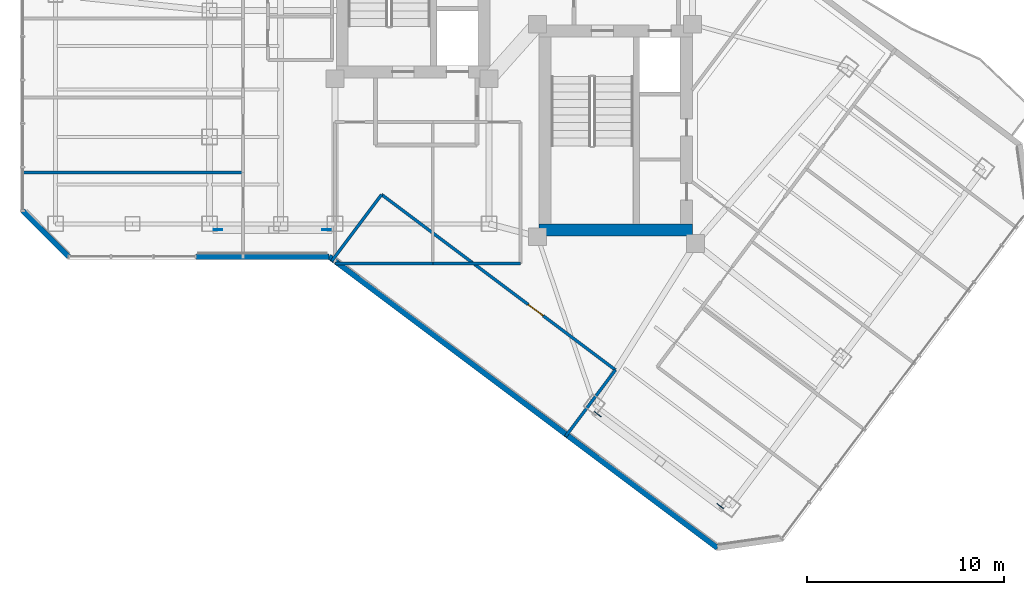
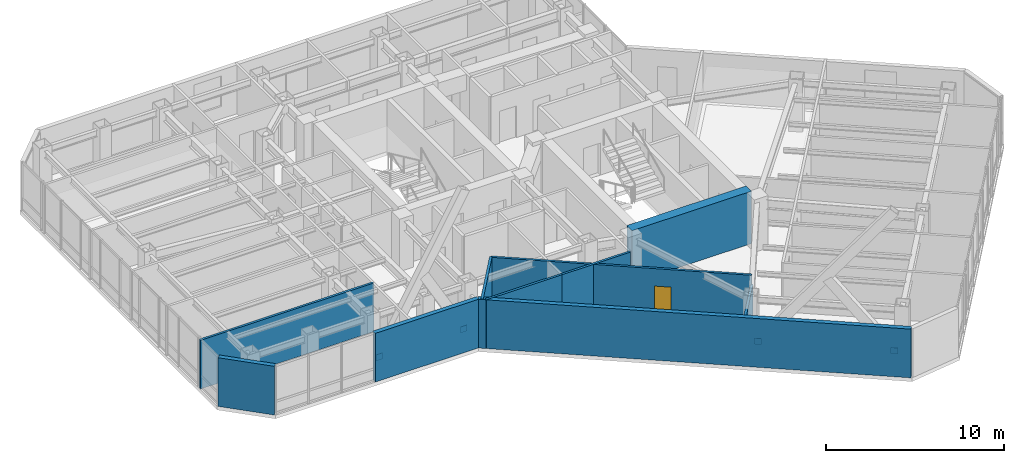
# One storey, part 21 of 27: 10 walls, 4 plates, 1 door, 1 opening.
"""IFC4 building model written with IfcOpenShell, lengths in metres."""

from ifc_helpers import new_model, si_unit, direction, frame, frame_2d, origin, origin_2d, place, context, subcontext, project, spatial, rectangle, extrude, material, layer, layer_set, type_object, element, fill, save


model = new_model("IFC4")

# Units and contexts
model_context = context("Model", 3, precision=1e-05, world=origin(), true_north=direction((0.0, 1.0)))
body_context = subcontext(model_context, "Body", "Model", "MODEL_VIEW")
ifc_project = project(units=[si_unit("LENGTHUNIT", "METRE"), si_unit("AREAUNIT", "SQUARE_METRE"), si_unit("VOLUMEUNIT", "CUBIC_METRE"), si_unit("PLANEANGLEUNIT", "RADIAN"), si_unit("MASSUNIT", "GRAM", prefix="KILO")], contexts=[model_context])

# Site, building, storey
site_placement = place(None, origin())
site = spatial("IfcSite", under=ifc_project, at=site_placement, CompositionType="ELEMENT")
building_placement = place(site_placement, origin())
building = spatial("IfcBuilding", under=site, at=building_placement, Name="Hatsunagi Terrace Concourse", CompositionType="ELEMENT")
storey_placement = place(building_placement, frame((0.0, 0.0, 167.25)))
storey = spatial("IfcBuildingStorey", under=building, at=storey_placement, Name="L44", CompositionType="ELEMENT", Elevation=167.25)

# Plates
ifc_material_1 = material(Name="Steel SN490C", Category="steel")
ifc_layer_1 = layer(ifc_material_1, 0.031982421875)
ifc_layer_set_1 = layer_set([ifc_layer_1], Name="XBraceNodeCapPlate_32")
plate_type = type_object("IfcPlateType", Name="XBraceNodeCapPlate_32", PredefinedType="USERDEFINED", material=ifc_layer_set_1)
for number, where, z_axis, x_axis, name in (
    (1, (19.625, 24.89990234375, 0.22998046875), (0.0, 0.0, 1.0), (1.0, 0.0, 0.0), "Cast-In Core and Node Embed Plate GP-02 EP-XB-L44-W1-AB"),
    (2, (25.125, 24.89990234375, 0.22998046875), (0.0, 0.0, 1.0), (1.0, 0.0, 0.0), "Cast-In Core and Node Embed Plate GP-02 EP-XB-L44-W1-BB"),
    (3, (38.85205078125, 15.56103515625, 0.22998046875), (0.0, 0.0, 1.0), (0.799999996291, -0.600000004945, 0.0), "Cast-In Core and Node Embed Plate GP-02 EP-XB-L44-SE-AB"),
    (4, (45.052001953125, 10.910888671875, 0.22998046875), (0.0, 0.0, 1.0), (0.799999996291, -0.600000004945, 0.0), "Cast-In Core and Node Embed Plate GP-02 EP-XB-L44-SE-BB"),
):
    element("IfcPlate", number, at=place(storey_placement, frame(where, z_axis=z_axis, x_axis=x_axis)), inside=storey, type_object=plate_type, Name=name, ObjectType="GUSSET_PLATE", PredefinedType="USERDEFINED", context=body_context, shape_type="SweptSolid", body=[
        extrude(rectangle(XDim=0.419921875, YDim=0.031982421875, at=origin_2d()), origin(), (0.0, 0.0, 1.0), 0.419921875),
    ])

# Walls
ifc_material_2 = material(Name="Concrete Fc48", Category="concrete")
ifc_layer_2 = layer(ifc_material_2, 0.60009765625)
ifc_layer_set_2 = layer_set([ifc_layer_2], Name="CoreShearWall_Fc48_600")
wall_type_1 = type_object("IfcWallType", Name="CoreShearWall_Fc48_600", PredefinedType="SHEAR", material=ifc_layer_set_2)
wall_1_placement = place(storey_placement, frame((35.889892578125, 24.889892578125, 0.0), z_axis=(0.0, 0.0, 1.0), x_axis=(1.0, 0.0, 0.0)))
element("IfcWall", 5, at=wall_1_placement, inside=storey, type_object=wall_type_1, Name="Core B Shear Wall S L44", PredefinedType="SHEAR", context=body_context, shape_type="SweptSolid", body=[
    extrude(rectangle(XDim=7.760009765625, YDim=0.60009765625, at=frame_2d((3.8798828125, 0.0))), origin(), (0.0, 0.0, 1.0), 3.60009765625),
])
ifc_material_3 = material(Name="Acoustic mineral board", Category="gypsum")
ifc_layer_3 = layer(ifc_material_3, 0.14990234375)
ifc_layer_set_3 = layer_set([ifc_layer_3], Name="PartitionWall_EI60_150")
wall_type_2 = type_object("IfcWallType", Name="PartitionWall_EI60_150", PredefinedType="PARTITIONING", material=ifc_layer_set_3)
wall_2_placement = place(storey_placement, frame((25.550048828125, 23.199951171875, 0.0), z_axis=(0.0, 0.0, 1.0), x_axis=(1.0, 0.0, 0.0)))
element("IfcWall", 6, at=wall_2_placement, inside=storey, type_object=wall_type_2, Name="Interior Partition IW-L44-025", PredefinedType="PARTITIONING", context=body_context, shape_type="SweptSolid", body=[
    extrude(rectangle(XDim=4.949951171875, YDim=0.14990234375, at=frame_2d((2.47509765625, 0.0))), origin(), (0.0, 0.0, 1.0), 3.35009765625),
])
wall_3_placement = place(storey_placement, frame((30.5, 23.199951171875, 0.0), z_axis=(0.0, 0.0, 1.0), x_axis=(1.0, 0.0, 0.0)))
element("IfcWall", 7, at=wall_3_placement, inside=storey, type_object=wall_type_2, Name="Interior Partition IW-L44-029", PredefinedType="PARTITIONING", context=body_context, shape_type="SweptSolid", body=[
    extrude(rectangle(XDim=4.449951171875, YDim=0.14990234375, at=frame_2d((2.22509765625, 0.0))), origin(), (0.0, 0.0, 1.0), 3.35009765625),
])
wall_4_placement = place(storey_placement, frame((9.639892578125, 27.800048828125, 0.0), z_axis=(0.0, 0.0, 1.0), x_axis=(1.0, 0.0, 0.0)))
element("IfcWall", 8, at=wall_4_placement, inside=storey, type_object=wall_type_2, Name="Interior Partition IW-L44-032", PredefinedType="PARTITIONING", context=body_context, shape_type="SweptSolid", body=[
    extrude(rectangle(XDim=11.260009765625, YDim=0.14990234375, at=frame_2d((5.6298828125, 0.0))), origin(), (0.0, 0.0, 1.0), 3.35009765625),
])

# Wall, opening, door
wall_5_placement = place(storey_placement, frame((27.909912109375, 26.679931640625, 0.0), z_axis=(0.0, 0.0, 1.0), x_axis=(0.800005938517, -0.599992081896, 0.0)))
wall_5 = element("IfcWall", 9, at=wall_5_placement, inside=storey, type_object=wall_type_2, Name="Interior Partition IW-L44-065", PredefinedType="PARTITIONING", context=body_context, shape_type="SweptSolid", body=[
    extrude(rectangle(XDim=14.800048828125, YDim=0.14990234375, at=frame_2d((7.39990234375, 0.0))), origin(), (0.0, 0.0, 1.0), 3.35009765625),
])
opening_placement = place(wall_5_placement, frame((9.281005859375, 0.0, 0.0)))
opening = element("IfcOpeningElement", 10, at=opening_placement, cuts=wall_5, Name="Opening DR-095", PredefinedType="OPENING", context=body_context, shape_type="SweptSolid", body=[
    extrude(rectangle(XDim=0.949951171875, YDim=2.14990234375, at=frame_2d((0.47509765625, 1.074951171875))), frame((0.0, 0.0849609375, 0.0), z_axis=(0.0, -1.0, 0.0), x_axis=(1.0, 0.0, 0.0)), (0.0, 0.0, 1.0), 0.169921875),
])
ifc_material_4 = material(Name="Hardwood timber", Category="wood")
door_type = type_object("IfcDoorType", Name="InteriorSuiteDoor_EI30_950", OperationType="NOTDEFINED", PredefinedType="DOOR", material=ifc_material_4)
door_placement = place(opening_placement, origin())
door = element("IfcDoor", 11, at=door_placement, inside=storey, type_object=door_type, Name="Research Focus Suite L44-OSWS Door", OperationType="SINGLE_SWING_RIGHT", OverallHeight=2.14990234375, OverallWidth=0.949951171875, PredefinedType="DOOR", context=body_context, shape_type="SweptSolid", body=[
    extrude(rectangle(XDim=0.949951171875, YDim=2.14990234375, at=frame_2d((0.47509765625, 1.074951171875))), frame((0.0, 0.02490234375, 0.0), z_axis=(0.0, -1.0, 0.0), x_axis=(1.0, 0.0, 0.0)), (0.0, 0.0, 1.0), 0.050048828125),
])
fill(opening, door)

# Walls
wall_6_placement = place(storey_placement, frame((25.384033203125, 23.31201171875, 0.0), z_axis=(0.0, 0.0, 1.0), x_axis=(0.599990721155, 0.80000695905, 0.0)))
element("IfcWall", 12, at=wall_6_placement, inside=storey, type_object=wall_type_2, Name="Interior Partition IW-L44-066", PredefinedType="PARTITIONING", context=body_context, shape_type="SweptSolid", body=[
    extrude(rectangle(XDim=4.2099609375, YDim=0.14990234375, at=frame_2d((2.10498046875, 0.0))), origin(), (0.0, 0.0, 1.0), 3.35009765625),
])
wall_7_placement = place(storey_placement, frame((37.22412109375, 14.431884765625, 0.0), z_axis=(0.0, 0.0, 1.0), x_axis=(0.599962885857, 0.800027834262, 0.0)))
element("IfcWall", 13, at=wall_7_placement, inside=storey, type_object=wall_type_2, Name="Interior Partition IW-L44-067", PredefinedType="PARTITIONING", context=body_context, shape_type="SweptSolid", body=[
    extrude(rectangle(XDim=4.2099609375, YDim=0.14990234375, at=frame_2d((2.10498046875, 0.0))), origin(), (0.0, 0.0, 1.0), 2.695068359375),
])
ifc_material_5 = material(Name="Autoclaved Lightweight Concrete and Terracotta Cladding", Category="masonry")
ifc_layer_4 = layer(ifc_material_5, 0.280029296875)
ifc_layer_set_4 = layer_set([ifc_layer_4], Name="TerracottaSpandrelWall_280")
wall_type_3 = type_object("IfcWallType", Name="TerracottaSpandrelWall_280", PredefinedType="STANDARD", material=ifc_layer_set_4)
wall_8_placement = place(storey_placement, frame((44.91796875, 8.787109375, 0.0), z_axis=(0.0, 0.0, 1.0), x_axis=(-0.800004765927, 0.599993645378, 0.0)))
element("IfcWall", 14, at=wall_8_placement, inside=storey, type_object=wall_type_3, Name="Exterior Spandrel Wall EW-L44-05", PredefinedType="STANDARD", context=body_context, shape_type="SweptSolid", body=[
    extrude(rectangle(XDim=24.58837890625, YDim=0.280029296875, at=frame_2d((12.294189453125, 0.0))), origin(), (0.0, 0.0, 1.0), 3.35009765625),
])
wall_9_placement = place(storey_placement, frame((25.2470703125, 23.5400390625, 0.0), z_axis=(0.0, 0.0, 1.0), x_axis=(-1.0, 0.0, 0.0)))
element("IfcWall", 15, at=wall_9_placement, inside=storey, type_object=wall_type_3, Name="Exterior Spandrel Wall EW-L44-06", PredefinedType="STANDARD", context=body_context, shape_type="SweptSolid", body=[
    extrude(rectangle(XDim=6.7470703125, YDim=0.280029296875, at=frame_2d((3.37353515625, 0.0))), origin(), (0.0, 0.0, 1.0), 3.35009765625),
])
wall_10_placement = place(storey_placement, frame((12.05810546875, 23.5400390625, 0.0), z_axis=(0.0, 0.0, 1.0), x_axis=(-0.707144017911, 0.707069542501, 0.0)))
element("IfcWall", 16, at=wall_10_placement, inside=storey, type_object=wall_type_3, Name="Exterior Spandrel Wall EW-L44-08", PredefinedType="STANDARD", context=body_context, shape_type="SweptSolid", body=[
    extrude(rectangle(XDim=3.278076171875, YDim=0.280029296875, at=frame_2d((1.63916015625, 0.0))), origin(), (0.0, 0.0, 1.0), 3.35009765625),
])

save(model, "model.ifc")
